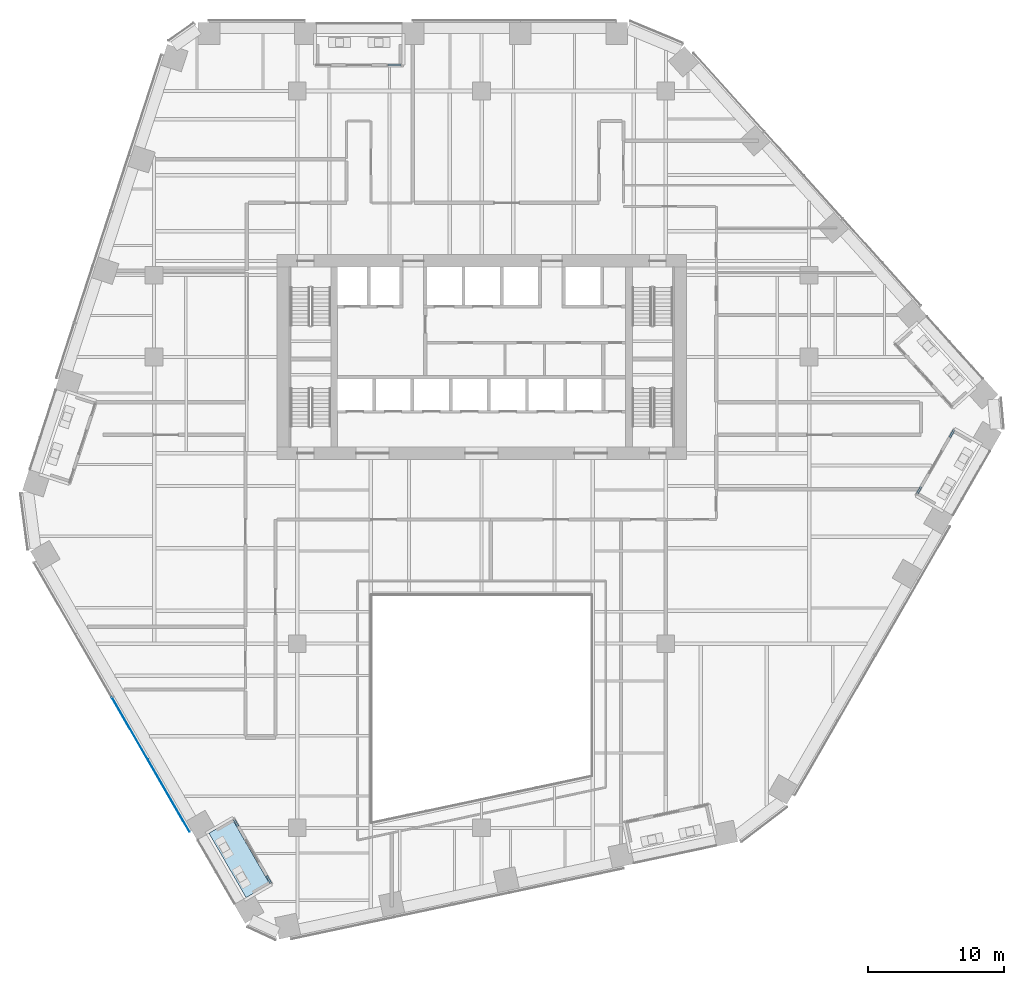
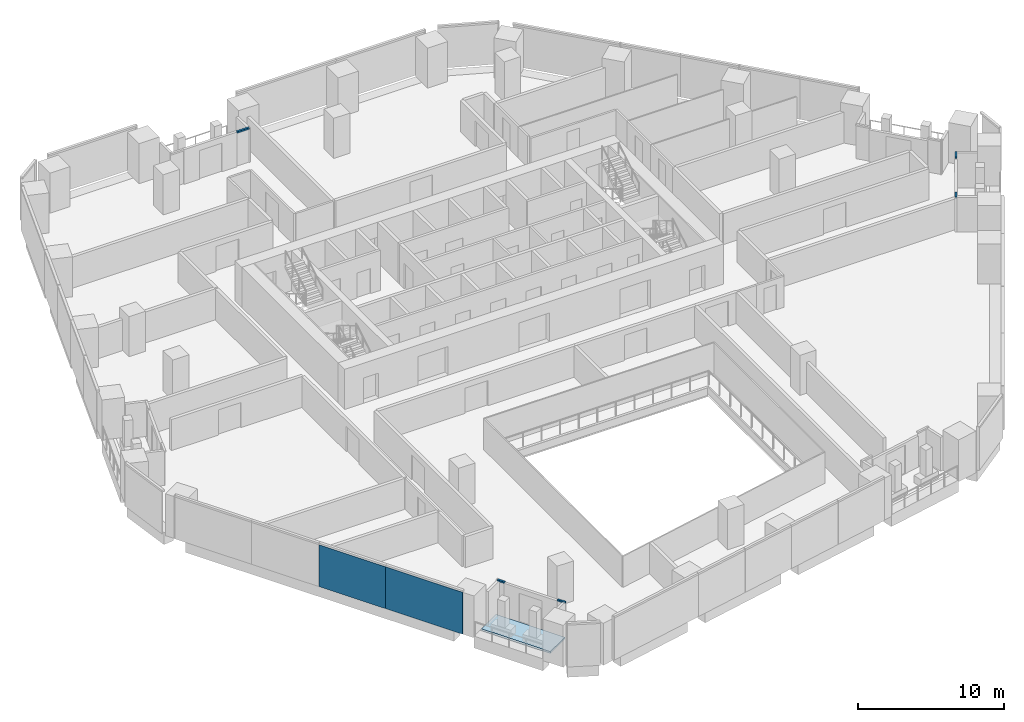
# One storey, part 16 of 31: 5 members, 2 plates, 1 slab, 4 elements without a shape of their own.
"""IFC4 building model written with IfcOpenShell, lengths in metres."""

from ifc_helpers import new_model, si_unit, direction, frame, origin, origin_2d, place, context, subcontext, project, spatial, polyline, rectangle, outline, extrude, material, layer, layer_set, material_profile, profile_set, type_object, element, aggregate, save


model = new_model("IFC4")

# Units and contexts
model_context = context("Model", 3, precision=1e-05, world=origin(), true_north=direction((0.0, 1.0)))
body_context = subcontext(model_context, "Body", "Model", "MODEL_VIEW")
ifc_project = project(units=[si_unit("LENGTHUNIT", "METRE"), si_unit("AREAUNIT", "SQUARE_METRE"), si_unit("VOLUMEUNIT", "CUBIC_METRE"), si_unit("PLANEANGLEUNIT", "RADIAN"), si_unit("MASSUNIT", "GRAM", prefix="KILO")], contexts=[model_context])

# Site, building, storey
site_placement = place(None, origin())
site = spatial("IfcSite", under=ifc_project, at=site_placement, CompositionType="ELEMENT")
building_placement = place(site_placement, origin())
building = spatial("IfcBuilding", under=site, at=building_placement, Name="Isthmus Gate Tower", CompositionType="ELEMENT")
storey_placement = place(building_placement, frame((0.0, 0.0, 113.5)))
storey = spatial("IfcBuildingStorey", under=building, at=storey_placement, Name="L27", CompositionType="ELEMENT", Elevation=113.5)

# Curtain wall, member
ifc_material_1 = material(Name="Aluminium, pale champagne anodised", Category="aluminium")
ifc_layer_1 = layer(ifc_material_1, 0.14990234375)
ifc_layer_set_1 = layer_set([ifc_layer_1], Name="CW-6 LOGGIA BACK WALL GLAZING 150 DEEP")
curtain_wall_type_1 = type_object("IfcCurtainWallType", Name="CW-6 LOGGIA BACK WALL GLAZING 150 DEEP", PredefinedType="NOTDEFINED", material=ifc_layer_set_1)
curtain_wall_1_placement = place(storey_placement, origin())
curtain_wall_1 = element("IfcCurtainWall", 1, at=curtain_wall_1_placement, inside=storey, type_object=curtain_wall_type_1, Name="CW-6 N L27", PredefinedType="NOTDEFINED")
ifc_material_2 = material(Name="Aluminium, pale champagne anodised", Category="aluminium")
ifc_material_profile = material_profile(ifc_material_2, rectangle(XDim=0.14990234375, YDim=0.1201171875, at=origin_2d()), Name="150x120")
ifc_profile_set = profile_set([ifc_material_profile], Name="Aluminium, pale champagne anodised")
member_type = type_object("IfcMemberType", Name="CW-6 TRANSOM 150 X 120", PredefinedType="USERDEFINED", material=ifc_profile_set)
member_1_placement = place(storey_placement, frame((-5.897216796875, 28.89990234375, 2.840087890625), z_axis=(-1.0, 0.0, 0.0), x_axis=(0.0, -1.0, 0.0)))
member_1 = element("IfcMember", 2, at=member_1_placement, type_object=member_type, Name="CW-6 transom", ObjectType="TRANSOM", PredefinedType="USERDEFINED", context=body_context, shape_type="SweptSolid", body=[
    extrude(rectangle(XDim=0.14990234375, YDim=0.1201171875, at=origin_2d()), origin(), (0.0, 0.0, 1.0), 0.974853515625),
])
aggregate(curtain_wall_1, [member_1])

# Curtain wall, members
curtain_wall_2_placement = place(storey_placement, origin())
curtain_wall_2 = element("IfcCurtainWall", 3, at=curtain_wall_2_placement, inside=storey, type_object=curtain_wall_type_1, Name="CW-6 SW L27", PredefinedType="NOTDEFINED")
member_2_placement = place(storey_placement, frame((-18.1318359375, -26.394775390625, 2.840087890625), z_axis=(0.500111091428, -0.865961255618, 0.0), x_axis=(0.865961255618, 0.500111091428, 0.0)))
member_2 = element("IfcMember", 4, at=member_2_placement, type_object=member_type, Name="CW-6 transom", ObjectType="TRANSOM", PredefinedType="USERDEFINED", context=body_context, shape_type="SweptSolid", body=[
    extrude(rectangle(XDim=0.14990234375, YDim=0.1201171875, at=origin_2d()), origin(), (0.0, 0.0, 1.0), 0.561767578125),
])
member_3_placement = place(storey_placement, frame((-15.7509765625, -30.5185546875, 2.840087890625), z_axis=(0.500107546598, -0.865963302823, 0.0), x_axis=(0.865963302823, 0.500107546598, 0.0)))
member_3 = element("IfcMember", 5, at=member_3_placement, type_object=member_type, Name="CW-6 transom", ObjectType="TRANSOM", PredefinedType="USERDEFINED", context=body_context, shape_type="SweptSolid", body=[
    extrude(rectangle(XDim=0.14990234375, YDim=0.1201171875, at=origin_2d()), origin(), (0.0, 0.0, 1.0), 0.621826171875),
])
aggregate(curtain_wall_2, [member_2, member_3])

curtain_wall_3_placement = place(storey_placement, origin())
curtain_wall_3 = element("IfcCurtainWall", 6, at=curtain_wall_3_placement, inside=storey, type_object=curtain_wall_type_1, Name="CW-6 SE L27", PredefinedType="NOTDEFINED")
member_4_placement = place(storey_placement, frame((31.911376953125, -2.527587890625, 2.840087890625), z_axis=(0.500433297998, 0.865775094499, 0.0), x_axis=(-0.865775094499, 0.500433297998, 0.0)))
member_4 = element("IfcMember", 7, at=member_4_placement, type_object=member_type, Name="CW-6 transom", ObjectType="TRANSOM", PredefinedType="USERDEFINED", context=body_context, shape_type="SweptSolid", body=[
    extrude(rectangle(XDim=0.14990234375, YDim=0.1201171875, at=origin_2d()), origin(), (0.0, 0.0, 1.0), 0.57470703125),
])
member_5_placement = place(storey_placement, frame((34.298828125, 1.607421875, 2.840087890625), z_axis=(0.50011094668, 0.865961339213, 0.0), x_axis=(-0.865961339213, 0.50011094668, 0.0)))
member_5 = element("IfcMember", 8, at=member_5_placement, type_object=member_type, Name="CW-6 transom", ObjectType="TRANSOM", PredefinedType="USERDEFINED", context=body_context, shape_type="SweptSolid", body=[
    extrude(rectangle(XDim=0.14990234375, YDim=0.1201171875, at=origin_2d()), origin(), (0.0, 0.0, 1.0), 0.634521484375),
])
aggregate(curtain_wall_3, [member_4, member_5])

# Curtain wall, plates
ifc_material_3 = material(Name="Aluminium, pale champagne anodised", Category="aluminium")
ifc_layer_2 = layer(ifc_material_3, 0.199951171875)
ifc_layer_set_2 = layer_set([ifc_layer_2], Name="CW-1 UNITISED CURTAIN WALL 200 DEEP")
curtain_wall_type_2 = type_object("IfcCurtainWallType", Name="CW-1 UNITISED CURTAIN WALL 200 DEEP", PredefinedType="NOTDEFINED", material=ifc_layer_set_2)
curtain_wall_4_placement = place(storey_placement, origin())
curtain_wall_4 = element("IfcCurtainWall", 9, at=curtain_wall_4_placement, inside=storey, type_object=curtain_wall_type_2, Name="CW-1 SW L27", PredefinedType="NOTDEFINED")
ifc_material_4 = material(Name="Laminated low-iron glass, pale blue tint", Category="glass")
ifc_layer_3 = layer(ifc_material_4, 0.0400390625)
ifc_layer_set_3 = layer_set([ifc_layer_3], Name="CW-1 CLEAR GLASS LITE 40")
plate_type = type_object("IfcPlateType", Name="CW-1 CLEAR GLASS LITE 40", PredefinedType="CURTAIN_PANEL", material=ifc_layer_set_3)
plate_1_placement = place(storey_placement, frame((-25.768798828125, -19.72705078125, 0.0), z_axis=(0.0, 0.0, 1.0), x_axis=(0.5, -0.866025403784, 0.0)))
plate_1 = element("IfcPlate", 10, at=plate_1_placement, type_object=plate_type, Name="CW-1 glass lite", PredefinedType="CURTAIN_PANEL", context=body_context, shape_type="SweptSolid", body=[
    extrude(rectangle(XDim=5.24853515625, YDim=0.0400390625, at=origin_2d()), origin(), (0.0, 0.0, 1.0), 3.5),
])
plate_2_placement = place(storey_placement, frame((-22.929443359375, -24.644775390625, 0.0), z_axis=(0.0, 0.0, 1.0), x_axis=(0.5, -0.866025403784, 0.0)))
plate_2 = element("IfcPlate", 11, at=plate_2_placement, type_object=plate_type, Name="CW-1 glass lite", PredefinedType="CURTAIN_PANEL", context=body_context, shape_type="SweptSolid", body=[
    extrude(rectangle(XDim=6.108642578125, YDim=0.0400390625, at=origin_2d()), origin(), (0.0, 0.0, 1.0), 3.5),
])
aggregate(curtain_wall_4, [plate_1, plate_2])

# Slab
ifc_material_5 = material(Name="Concrete f'c 50 MPa", Category="concrete")
ifc_layer_4 = layer(ifc_material_5, 0.14990234375)
ifc_layer_set_4 = layer_set([ifc_layer_4], Name="LOGGIA FLOOR SLAB 150")
slab_type = type_object("IfcSlabType", Name="LOGGIA FLOOR SLAB 150", PredefinedType="FLOOR", material=ifc_layer_set_4)
slab_placement = place(storey_placement, frame((0.0, 0.0, -0.14990234375)))
element("IfcSlab", 12, at=slab_placement, inside=storey, type_object=slab_type, Name="LOGGIA FLOOR", PredefinedType="FLOOR", context=body_context, shape_type="SweptSolid", body=[
    extrude(outline(polyline([(-19.98046875, -27.392822265625), (-17.2587890625, -32.107177734375), (-15.526611328125, -31.107177734375), (-18.24853515625, -26.392822265625), (-19.98046875, -27.392822265625)])), origin(), (0.0, 0.0, 1.0), 0.14990234375),
])

save(model, "model.ifc")
